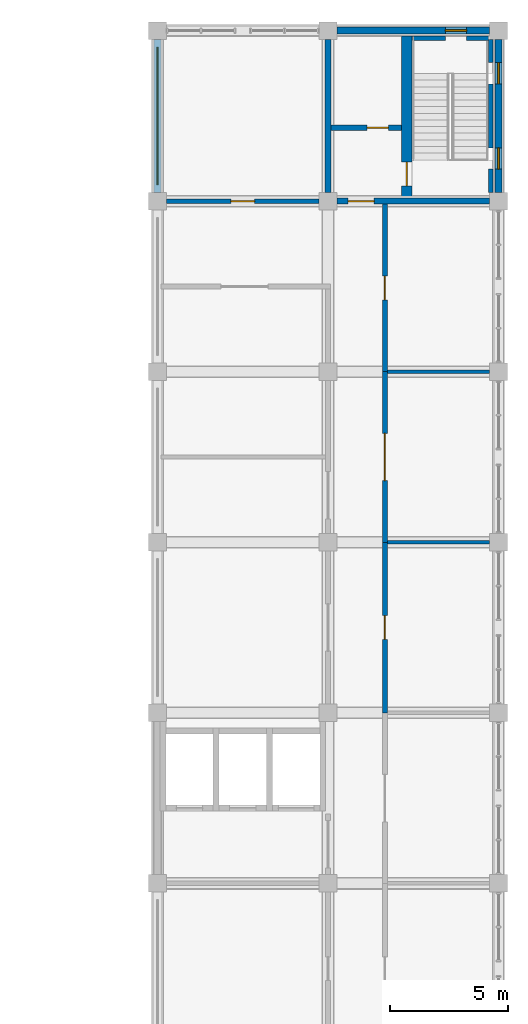
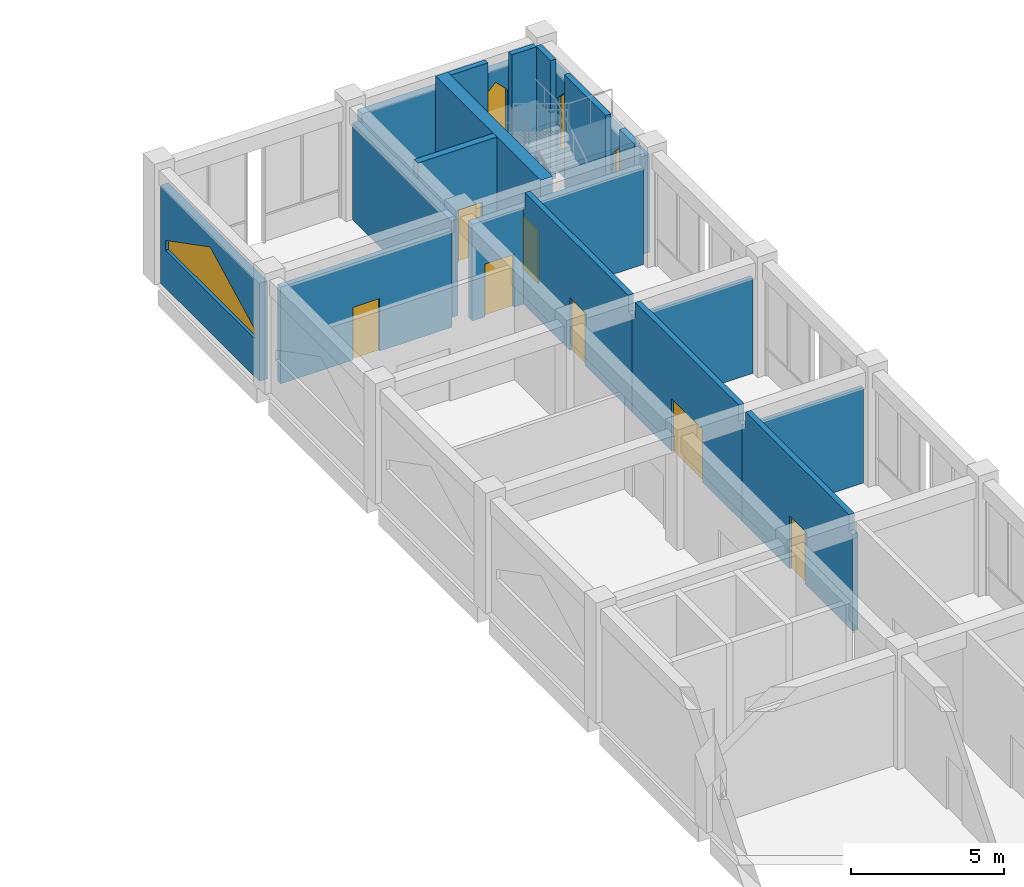
# One storey, part 35 of 39: 18 walls, 7 doors, 4 windows, 11 openings.
"""IFC4 building model written with IfcOpenShell, lengths in metres."""

from ifc_helpers import new_model, si_unit, direction, frame, frame_2d, origin, place, context, subcontext, project, spatial, polyline, rectangle, outline, extrude, material, layer, layer_set, type_object, element, fill, save


model = new_model("IFC4")

# Units and contexts
model_context = context("Model", 3, precision=1e-05, world=origin(), true_north=direction((0.0, 1.0)))
body_context = subcontext(model_context, "Body", "Model", "MODEL_VIEW")
ifc_project = project(units=[si_unit("LENGTHUNIT", "METRE"), si_unit("AREAUNIT", "SQUARE_METRE"), si_unit("VOLUMEUNIT", "CUBIC_METRE"), si_unit("PLANEANGLEUNIT", "RADIAN"), si_unit("MASSUNIT", "GRAM", prefix="KILO")], contexts=[model_context])

# Site, building, storey
site_placement = place(None, origin())
site = spatial("IfcSite", under=ifc_project, at=site_placement, CompositionType="ELEMENT")
building_placement = place(site_placement, origin())
building = spatial("IfcBuilding", under=site, at=building_placement, Name="Silangan Lancet Faculty of Sciences", CompositionType="ELEMENT")
storey_placement = place(building_placement, frame((0.0, 0.0, 26.39990234375)))
storey = spatial("IfcBuildingStorey", under=building, at=storey_placement, Name="L05", CompositionType="ELEMENT", Elevation=26.39990234375)

# Wall, openings, windows
ifc_material_1 = material(Name="Concrete C40/50 precast", Category="concrete")
ifc_layer_1 = layer(ifc_material_1, 0.300048828125)
ifc_layer_set_1 = layer_set([ifc_layer_1], Name="Concrete C40/50 precast")
wall_type_1 = type_object("IfcWallType", Name="EW2 Turret enclosure wall", PredefinedType="STANDARD", material=ifc_layer_set_1)
wall_1_placement = place(storey_placement, frame((86.39990234375, 50.77490234375, 0.0), z_axis=(0.0, 0.0, 1.0), x_axis=(0.0, 1.0, 0.0)))
wall_1 = element("IfcWall", 1, at=wall_1_placement, inside=storey, type_object=wall_type_1, Name="EW-L05-E-EB-07", PredefinedType="STANDARD", context=body_context, shape_type="SweptSolid", body=[
    extrude(rectangle(XDim=6.4501953125, YDim=0.300048828125, at=frame_2d((3.22509765625, 0.0))), origin(), (0.0, 0.0, 1.0), 3.900146484375),
])
opening_1_placement = place(wall_1_placement, frame((0.97509765625, 0.0, 0.89990234375)))
opening_1 = element("IfcOpeningElement", 2, at=opening_1_placement, cuts=wall_1, Name="Opening W11", PredefinedType="OPENING", context=body_context, shape_type="SweptSolid", body=[
    extrude(outline(polyline([(0.0, 0.0), (0.89990234375, 0.0), (0.89990234375, 2.050048828125), (0.449951171875, 2.5), (0.0, 2.050048828125), (0.0, 0.0)])), frame((0.0, 0.159912109375, 0.0), z_axis=(0.0, -1.0, 0.0), x_axis=(1.0, 0.0, 0.0)), (0.0, 0.0, 1.0), 0.320068359375),
])
opening_2_placement = place(wall_1_placement, frame((4.574951171875, 0.0, 0.89990234375)))
opening_2 = element("IfcOpeningElement", 3, at=opening_2_placement, cuts=wall_1, Name="Opening W11", PredefinedType="OPENING", context=body_context, shape_type="SweptSolid", body=[
    extrude(outline(polyline([(0.0, 0.0), (0.89990234375, 0.0), (0.89990234375, 2.050048828125), (0.449951171875, 2.5), (0.0, 2.050048828125), (0.0, 0.0)])), frame((0.0, 0.159912109375, 0.0), z_axis=(0.0, -1.0, 0.0), x_axis=(1.0, 0.0, 0.0)), (0.0, 0.0, 1.0), 0.320068359375),
])
ifc_material_2 = material(Name="Aluminium frame, laminated double glazing", Category="aluminium")
window_type_1 = type_object("IfcWindowType", Name="W11 Lancet window 900 x 2500", PartitioningType="SINGLE_PANEL", PredefinedType="WINDOW", material=ifc_material_2)
window_1_placement = place(opening_1_placement, origin())
window_1 = element("IfcWindow", 4, at=window_1_placement, inside=storey, type_object=window_type_1, Name="WIN-L05-E-EB-07a", OverallHeight=2.5, OverallWidth=0.89990234375, PartitioningType="SINGLE_PANEL", PredefinedType="WINDOW", context=body_context, shape_type="SweptSolid", body=[
    extrude(outline(polyline([(0.0, 0.0), (0.89990234375, 0.0), (0.89990234375, 2.050048828125), (0.449951171875, 2.5), (0.0, 2.050048828125), (0.0, 0.0)])), frame((0.0, 0.030029296875, 0.0), z_axis=(0.0, -1.0, 0.0), x_axis=(1.0, 0.0, 0.0)), (0.0, 0.0, 1.0), 0.06005859375),
])
fill(opening_1, window_1)
window_2_placement = place(opening_2_placement, origin())
window_2 = element("IfcWindow", 5, at=window_2_placement, inside=storey, type_object=window_type_1, Name="WIN-L05-E-EB-07b", OverallHeight=2.5, OverallWidth=0.89990234375, PartitioningType="SINGLE_PANEL", PredefinedType="WINDOW", context=body_context, shape_type="SweptSolid", body=[
    extrude(outline(polyline([(0.0, 0.0), (0.89990234375, 0.0), (0.89990234375, 2.050048828125), (0.449951171875, 2.5), (0.0, 2.050048828125), (0.0, 0.0)])), frame((0.0, 0.030029296875, 0.0), z_axis=(0.0, -1.0, 0.0), x_axis=(1.0, 0.0, 0.0)), (0.0, 0.0, 1.0), 0.06005859375),
])
fill(opening_2, window_2)

# Wall, opening, window
wall_2_placement = place(storey_placement, frame((86.02490234375, 57.60009765625, 0.0), z_axis=(0.0, 0.0, 1.0), x_axis=(-1.0, 0.0, 0.0)))
wall_2 = element("IfcWall", 6, at=wall_2_placement, inside=storey, type_object=wall_type_1, Name="EW-L05-N-EB-00", PredefinedType="STANDARD", context=body_context, shape_type="SweptSolid", body=[
    extrude(rectangle(XDim=6.449951171875, YDim=0.300048828125, at=frame_2d((3.22509765625, 0.0))), origin(), (0.0, 0.0, 1.0), 3.900146484375),
])
opening_3_placement = place(wall_2_placement, frame((0.97509765625, 0.0, 0.89990234375)))
opening_3 = element("IfcOpeningElement", 7, at=opening_3_placement, cuts=wall_2, Name="Opening W11", PredefinedType="OPENING", context=body_context, shape_type="SweptSolid", body=[
    extrude(outline(polyline([(0.0, 0.0), (0.89990234375, 0.0), (0.89990234375, 2.050048828125), (0.449951171875, 2.5), (0.0, 2.050048828125), (0.0, 0.0)])), frame((0.0, 0.159912109375, 0.0), z_axis=(0.0, -1.0, 0.0), x_axis=(1.0, 0.0, 0.0)), (0.0, 0.0, 1.0), 0.320068359375),
])
window_3_placement = place(opening_3_placement, origin())
window_3 = element("IfcWindow", 8, at=window_3_placement, inside=storey, type_object=window_type_1, Name="WIN-L05-N-EB-00a", OverallHeight=2.5, OverallWidth=0.89990234375, PartitioningType="SINGLE_PANEL", PredefinedType="WINDOW", context=body_context, shape_type="SweptSolid", body=[
    extrude(outline(polyline([(0.0, 0.0), (0.89990234375, 0.0), (0.89990234375, 2.050048828125), (0.449951171875, 2.5), (0.0, 2.050048828125), (0.0, 0.0)])), frame((0.0, 0.030029296875, 0.0), z_axis=(0.0, -1.0, 0.0), x_axis=(1.0, 0.0, 0.0)), (0.0, 0.0, 1.0), 0.06005859375),
])
fill(opening_3, window_3)

ifc_material_3 = material(Name="Concrete C40/50", Category="concrete")
ifc_layer_2 = layer(ifc_material_3, 0.300048828125)
ifc_layer_set_2 = layer_set([ifc_layer_2], Name="Concrete C40/50")
wall_type_2 = type_object("IfcWallType", Name="EW7 Rendered attic wall", PredefinedType="STANDARD", material=ifc_layer_set_2)
wall_3_placement = place(storey_placement, frame((72.0, 50.77490234375, 0.0), z_axis=(0.0, 0.0, 1.0), x_axis=(0.0, 1.0, 0.0)))
wall_3 = element("IfcWall", 9, at=wall_3_placement, inside=storey, type_object=wall_type_2, Name="EW-L05-W-EB-07", PredefinedType="STANDARD", context=body_context, shape_type="SweptSolid", body=[
    extrude(rectangle(XDim=6.4501953125, YDim=0.300048828125, at=frame_2d((3.22509765625, 0.0))), origin(), (0.0, 0.0, 1.0), 3.900146484375),
])
opening_4_placement = place(wall_3_placement, frame((0.324951171875, 0.0, 1.5)))
opening_4 = element("IfcOpeningElement", 10, at=opening_4_placement, cuts=wall_3, Name="Opening W16", PredefinedType="OPENING", context=body_context, shape_type="SweptSolid", body=[
    extrude(outline(polyline([(0.0, 0.0), (5.800048828125, 0.0), (5.800048828125, 0.39990234375), (2.89990234375, 1.89990234375), (0.0, 0.39990234375), (0.0, 0.0)])), frame((0.0, 0.159912109375, 0.0), z_axis=(0.0, -1.0, 0.0), x_axis=(1.0, 0.0, 0.0)), (0.0, 0.0, 1.0), 0.320068359375),
])
ifc_material_4 = material(Name="Aluminium frame, laminated double glazing", Category="aluminium")
window_type_2 = type_object("IfcWindowType", Name="W16 Traceried bay window 5800 x 1900 on a 1500 sill", PartitioningType="TRIPLE_PANEL_VERTICAL", PredefinedType="WINDOW", material=ifc_material_4)
window_4_placement = place(opening_4_placement, origin())
window_4 = element("IfcWindow", 11, at=window_4_placement, inside=storey, type_object=window_type_2, Name="WIN-L05-W-EB-07a", OverallHeight=1.89990234375, OverallWidth=5.800048828125, PartitioningType="TRIPLE_PANEL_VERTICAL", PredefinedType="WINDOW", context=body_context, shape_type="SweptSolid", body=[
    extrude(outline(polyline([(0.0, 0.0), (5.800048828125, 0.0), (5.800048828125, 0.39990234375), (2.89990234375, 1.89990234375), (0.0, 0.39990234375), (0.0, 0.0)])), frame((0.0, 0.030029296875, 0.0), z_axis=(0.0, -1.0, 0.0), x_axis=(1.0, 0.0, 0.0)), (0.0, 0.0, 1.0), 0.06005859375),
])
fill(opening_4, window_4)

# Wall, opening, door
ifc_material_5 = material(Name="Hollow block masonry fm 7 MPa", Category="masonry")
ifc_layer_3 = layer(ifc_material_5, 0.199951171875)
ifc_layer_set_3 = layer_set([ifc_layer_3], Name="Hollow block masonry fm 7 MPa")
wall_type_3 = type_object("IfcWallType", Name="Interior wall PW1 Corridor wall CHB 200", PredefinedType="PARTITIONING", material=ifc_layer_set_3)
wall_4_placement = place(storey_placement, frame((72.375, 50.39990234375, 0.0), z_axis=(0.0, 0.0, 1.0), x_axis=(1.0, 0.0, 0.0)))
wall_4 = element("IfcWall", 12, at=wall_4_placement, inside=storey, type_object=wall_type_3, Name="Corridor wall CHB 200", PredefinedType="PARTITIONING", context=body_context, shape_type="SweptSolid", body=[
    extrude(rectangle(XDim=6.449951171875, YDim=0.199951171875, at=frame_2d((3.22509765625, 0.0))), origin(), (0.0, 0.0, 1.0), 3.85009765625),
])
opening_5_placement = place(wall_4_placement, frame((2.72509765625, 0.0, 0.0)))
opening_5 = element("IfcOpeningElement", 13, at=opening_5_placement, cuts=wall_4, Name="Opening L05-041", PredefinedType="OPENING", context=body_context, shape_type="SweptSolid", body=[
    extrude(rectangle(XDim=1.0, YDim=2.10009765625, at=frame_2d((0.5, 1.050048828125))), frame((0.0, 0.10986328125, 0.0), z_axis=(0.0, -1.0, 0.0), x_axis=(1.0, 0.0, 0.0)), (0.0, 0.0, 1.0), 0.219970703125),
])
ifc_material_6 = material(Name="Steel fire door set", Category="steel")
door_type_1 = type_object("IfcDoorType", Name="Door D1 Single leaf fire door 1000 x 2100", OperationType="SINGLE_SWING_LEFT", PredefinedType="DOOR", material=ifc_material_6)
door_1_placement = place(opening_5_placement, origin())
door_1 = element("IfcDoor", 14, at=door_1_placement, inside=storey, type_object=door_type_1, Name="Single leaf fire door 1000 x 2100", OperationType="SINGLE_SWING_RIGHT", OverallHeight=2.10009765625, OverallWidth=1.0, PredefinedType="DOOR", context=body_context, shape_type="SweptSolid", body=[
    extrude(rectangle(XDim=1.0, YDim=2.10009765625, at=frame_2d((0.5, 1.050048828125))), frame((0.0, 0.02490234375, 0.0), z_axis=(0.0, -1.0, 0.0), x_axis=(1.0, 0.0, 0.0)), (0.0, 0.0, 1.0), 0.050048828125),
])
fill(opening_5, door_1)

wall_5_placement = place(storey_placement, frame((81.60009765625, 28.800048828125, 0.0), z_axis=(0.0, 0.0, 1.0), x_axis=(0.0, 1.0, 0.0)))
wall_5 = element("IfcWall", 15, at=wall_5_placement, inside=storey, type_object=wall_type_3, Name="Corridor wall CHB 200", PredefinedType="PARTITIONING", context=body_context, shape_type="SweptSolid", body=[
    extrude(outline(polyline([(0.0, 0.0), (7.199951171875, 0.0), (7.199951171875, 3.85009765625), (6.97509765625, 3.85009765625), (6.97509765625, 4.5), (0.22509765625, 4.5), (0.22509765625, 3.85009765625), (0.0, 3.85009765625), (0.0, 0.0)])), frame((0.0, 0.10009765625, 0.0), z_axis=(0.0, -1.0, 0.0), x_axis=(1.0, 0.0, 0.0)), (0.0, 0.0, 1.0), 0.199951171875),
])
opening_6_placement = place(wall_5_placement, frame((3.10009765625, 0.0, 0.0)))
opening_6 = element("IfcOpeningElement", 16, at=opening_6_placement, cuts=wall_5, Name="Opening L05-045", PredefinedType="OPENING", context=body_context, shape_type="SweptSolid", body=[
    extrude(rectangle(XDim=1.0, YDim=2.10009765625, at=frame_2d((0.5, 1.050048828125))), frame((0.0, 0.10986328125, 0.0), z_axis=(0.0, -1.0, 0.0), x_axis=(1.0, 0.0, 0.0)), (0.0, 0.0, 1.0), 0.219970703125),
])
door_2_placement = place(opening_6_placement, frame((1.0, 0.0, 0.0), z_axis=(0.0, 0.0, 1.0), x_axis=(-1.0, 0.0, 0.0)))
door_2 = element("IfcDoor", 17, at=door_2_placement, inside=storey, type_object=door_type_1, Name="Single leaf fire door 1000 x 2100", OperationType="SINGLE_SWING_LEFT", OverallHeight=2.10009765625, OverallWidth=1.0, PredefinedType="DOOR", context=body_context, shape_type="SweptSolid", body=[
    extrude(rectangle(XDim=1.0, YDim=2.10009765625, at=frame_2d((0.5, 1.050048828125))), frame((0.0, 0.025146484375, 0.0), z_axis=(0.0, -1.0, 0.0), x_axis=(1.0, 0.0, 0.0)), (0.0, 0.0, 1.0), 0.050048828125),
])
fill(opening_6, door_2)

wall_6_placement = place(storey_placement, frame((81.60009765625, 36.0, 0.0), z_axis=(0.0, 0.0, 1.0), x_axis=(0.0, 1.0, 0.0)))
wall_6 = element("IfcWall", 18, at=wall_6_placement, inside=storey, type_object=wall_type_3, Name="Corridor wall CHB 200", PredefinedType="PARTITIONING", context=body_context, shape_type="SweptSolid", body=[
    extrude(outline(polyline([(0.0, 0.0), (7.199951171875, 0.0), (7.199951171875, 3.85009765625), (6.97509765625, 3.85009765625), (6.97509765625, 4.5), (0.22509765625, 4.5), (0.22509765625, 3.85009765625), (0.0, 3.85009765625), (0.0, 0.0)])), frame((0.0, 0.10009765625, 0.0), z_axis=(0.0, -1.0, 0.0), x_axis=(1.0, 0.0, 0.0)), (0.0, 0.0, 1.0), 0.199951171875),
])
opening_7_placement = place(wall_6_placement, frame((2.60009765625, 0.0, 0.0)))
opening_7 = element("IfcOpeningElement", 19, at=opening_7_placement, cuts=wall_6, Name="Opening L05-046", PredefinedType="OPENING", context=body_context, shape_type="SweptSolid", body=[
    extrude(rectangle(XDim=2.0, YDim=2.10009765625, at=frame_2d((1.0, 1.050048828125))), frame((0.0, 0.10986328125, 0.0), z_axis=(0.0, -1.0, 0.0), x_axis=(1.0, 0.0, 0.0)), (0.0, 0.0, 1.0), 0.219970703125),
])
ifc_material_7 = material(Name="Steel fire door set", Category="steel")
door_type_2 = type_object("IfcDoorType", Name="Door D4 Double leaf fire door 2000 x 2100", OperationType="DOUBLE_DOOR_SINGLE_SWING", PredefinedType="DOOR", material=ifc_material_7)
door_3_placement = place(opening_7_placement, origin())
door_3 = element("IfcDoor", 20, at=door_3_placement, inside=storey, type_object=door_type_2, Name="Double leaf fire door 2000 x 2100", OperationType="DOUBLE_DOOR_SINGLE_SWING", OverallHeight=2.10009765625, OverallWidth=2.0, PredefinedType="DOOR", context=body_context, shape_type="SweptSolid", body=[
    extrude(rectangle(XDim=2.0, YDim=2.10009765625, at=frame_2d((1.0, 1.050048828125))), frame((0.0, 0.02490234375, 0.0), z_axis=(0.0, -1.0, 0.0), x_axis=(1.0, 0.0, 0.0)), (0.0, 0.0, 1.0), 0.050048828125),
])
fill(opening_7, door_3)

wall_7_placement = place(storey_placement, frame((81.60009765625, 43.199951171875, 0.0), z_axis=(0.0, 0.0, 1.0), x_axis=(0.0, 1.0, 0.0)))
wall_7 = element("IfcWall", 21, at=wall_7_placement, inside=storey, type_object=wall_type_3, Name="Corridor wall CHB 200", PredefinedType="PARTITIONING", context=body_context, shape_type="SweptSolid", body=[
    extrude(outline(polyline([(0.0, 0.0), (7.074951171875, 0.0), (7.074951171875, 3.85009765625), (6.97509765625, 3.85009765625), (6.97509765625, 4.5), (0.22509765625, 4.5), (0.22509765625, 3.85009765625), (0.0, 3.85009765625), (0.0, 0.0)])), frame((0.0, 0.10009765625, 0.0), z_axis=(0.0, -1.0, 0.0), x_axis=(1.0, 0.0, 0.0)), (0.0, 0.0, 1.0), 0.199951171875),
])
opening_8_placement = place(wall_7_placement, frame((3.03759765625, 0.0, 0.0)))
opening_8 = element("IfcOpeningElement", 22, at=opening_8_placement, cuts=wall_7, Name="Opening L05-047", PredefinedType="OPENING", context=body_context, shape_type="SweptSolid", body=[
    extrude(rectangle(XDim=1.0, YDim=2.10009765625, at=frame_2d((0.5, 1.050048828125))), frame((0.0, 0.10986328125, 0.0), z_axis=(0.0, -1.0, 0.0), x_axis=(1.0, 0.0, 0.0)), (0.0, 0.0, 1.0), 0.219970703125),
])
door_4_placement = place(opening_8_placement, frame((1.0, 0.0, 0.0), z_axis=(0.0, 0.0, 1.0), x_axis=(-1.0, 0.0, 0.0)))
door_4 = element("IfcDoor", 23, at=door_4_placement, inside=storey, type_object=door_type_1, Name="Single leaf fire door 1000 x 2100", OperationType="SINGLE_SWING_LEFT", OverallHeight=2.10009765625, OverallWidth=1.0, PredefinedType="DOOR", context=body_context, shape_type="SweptSolid", body=[
    extrude(rectangle(XDim=1.0, YDim=2.10009765625, at=frame_2d((0.5, 1.050048828125))), frame((0.0, 0.025146484375, 0.0), z_axis=(0.0, -1.0, 0.0), x_axis=(1.0, 0.0, 0.0)), (0.0, 0.0, 1.0), 0.050048828125),
])
fill(opening_8, door_4)

# Walls
ifc_material_8 = material(Name="Hollow block masonry fm 7 MPa", Category="masonry")
ifc_layer_4 = layer(ifc_material_8, 0.14990234375)
ifc_layer_set_4 = layer_set([ifc_layer_4], Name="Hollow block masonry fm 7 MPa")
wall_type_4 = type_object("IfcWallType", Name="Interior wall PW3 Partition CHB 150", PredefinedType="PARTITIONING", material=ifc_layer_set_4)
for number, where, z_axis, x_axis, name in (
    (24, (81.699951171875, 36.0, 0.0), (0.0, 0.0, 1.0), (1.0, 0.0, 0.0), "Partition CHB 150"),
    (25, (81.699951171875, 43.199951171875, 0.0), (0.0, 0.0, 1.0), (1.0, 0.0, 0.0), "Partition CHB 150"),
):
    element("IfcWall", number, at=place(storey_placement, frame(where, z_axis=z_axis, x_axis=x_axis)), inside=storey, type_object=wall_type_4, Name=name, PredefinedType="PARTITIONING", context=body_context, shape_type="SweptSolid", body=[
        extrude(rectangle(XDim=4.324951171875, YDim=0.14990234375, at=frame_2d((2.16259765625, 0.0))), origin(), (0.0, 0.0, 1.0), 3.800048828125),
    ])

# Wall, opening, door
ifc_material_9 = material(Name="Concrete C40/50", Category="concrete")
ifc_layer_5 = layer(ifc_material_9, 0.449951171875)
ifc_layer_set_5 = layer_set([ifc_layer_5], Name="Concrete C40/50")
wall_type_5 = type_object("IfcWallType", Name="TURRET CORE WALL RC 450", PredefinedType="SHEAR", material=ifc_layer_set_5)
wall_8_placement = place(storey_placement, frame((82.52490234375, 50.52490234375, 0.0), z_axis=(0.0, 0.0, 1.0), x_axis=(0.0, 1.0, 0.0)))
wall_8 = element("IfcWall", 26, at=wall_8_placement, inside=storey, type_object=wall_type_5, Name="WALL-L05-EB-B-WELL", PredefinedType="SHEAR", context=body_context, shape_type="SweptSolid", body=[
    extrude(rectangle(XDim=6.85009765625, YDim=0.449951171875, at=frame_2d((3.425048828125, 0.0))), origin(), (0.0, 0.0, 1.0), 4.5),
])
opening_9_placement = place(wall_8_placement, frame((0.52490234375, 0.0, 0.0)))
opening_9 = element("IfcOpeningElement", 27, at=opening_9_placement, cuts=wall_8, Name="Opening L05-704", PredefinedType="OPENING", context=body_context, shape_type="SweptSolid", body=[
    extrude(rectangle(XDim=1.0, YDim=2.10009765625, at=frame_2d((0.5, 1.050048828125))), frame((0.0, 0.23486328125, 0.0), z_axis=(0.0, -1.0, 0.0), x_axis=(1.0, 0.0, 0.0)), (0.0, 0.0, 1.0), 0.469970703125),
])
ifc_material_10 = material(Name="Steel fire door set", Category="steel")
door_type_3 = type_object("IfcDoorType", Name="D71 Stair enclosure door 1000x2100", OperationType="SINGLE_SWING_LEFT", PredefinedType="DOOR", material=ifc_material_10)
door_5_placement = place(opening_9_placement, frame((1.0, 0.0, 0.0), z_axis=(0.0, 0.0, 1.0), x_axis=(-1.0, 0.0, 0.0)))
door_5 = element("IfcDoor", 28, at=door_5_placement, inside=storey, type_object=door_type_3, Name="Stair enclosure door EB-B L05", OperationType="SINGLE_SWING_RIGHT", OverallHeight=2.10009765625, OverallWidth=1.0, PredefinedType="DOOR", context=body_context, shape_type="SweptSolid", body=[
    extrude(rectangle(XDim=1.0, YDim=2.10009765625, at=frame_2d((0.5, 1.050048828125))), frame((0.0, 0.025146484375, 0.0), z_axis=(0.0, -1.0, 0.0), x_axis=(1.0, 0.0, 0.0)), (0.0, 0.0, 1.0), 0.050048828125),
])
fill(opening_9, door_5)

# Walls
ifc_material_11 = material(Name="Concrete C40/50", Category="concrete")
ifc_layer_6 = layer(ifc_material_11, 0.199951171875)
ifc_layer_set_6 = layer_set([ifc_layer_6], Name="Concrete C40/50")
wall_type_6 = type_object("IfcWallType", Name="TURRET LINING WALL RC 200", PredefinedType="SHEAR", material=ifc_layer_set_6)
wall_9_placement = place(storey_placement, frame((86.074951171875, 50.77490234375, -0.25), z_axis=(0.0, 0.0, 1.0), x_axis=(0.0, 1.0, 0.0)))
element("IfcWall", 29, at=wall_9_placement, inside=storey, type_object=wall_type_6, Name="WALL-L05-EB-B-WL", PredefinedType="SHEAR", context=body_context, shape_type="SweptSolid", body=[
    extrude(rectangle(XDim=0.97509765625, YDim=0.199951171875, at=frame_2d((0.487548828125, 0.0))), origin(), (0.0, 0.0, 1.0), 4.75),
])
wall_10_placement = place(storey_placement, frame((86.074951171875, 52.64990234375, -0.25), z_axis=(0.0, 0.0, 1.0), x_axis=(0.0, 1.0, 0.0)))
element("IfcWall", 30, at=wall_10_placement, inside=storey, type_object=wall_type_6, Name="WALL-L05-EB-B-WL-2", PredefinedType="SHEAR", context=body_context, shape_type="SweptSolid", body=[
    extrude(rectangle(XDim=2.7001953125, YDim=0.199951171875, at=frame_2d((1.35009765625, 0.0))), origin(), (0.0, 0.0, 1.0), 4.75),
])
wall_11_placement = place(storey_placement, frame((86.074951171875, 56.25, -0.25), z_axis=(0.0, 0.0, 1.0), x_axis=(0.0, 1.0, 0.0)))
element("IfcWall", 31, at=wall_11_placement, inside=storey, type_object=wall_type_6, Name="WALL-L05-EB-B-WL-3", PredefinedType="SHEAR", context=body_context, shape_type="SweptSolid", body=[
    extrude(rectangle(XDim=0.97509765625, YDim=0.199951171875, at=frame_2d((0.487548828125, 0.0))), origin(), (0.0, 0.0, 1.0), 4.75),
])
wall_12_placement = place(storey_placement, frame((82.75, 57.27490234375, -0.25), z_axis=(0.0, 0.0, 1.0), x_axis=(1.0, 0.0, 0.0)))
element("IfcWall", 32, at=wall_12_placement, inside=storey, type_object=wall_type_6, Name="WALL-L05-EB-B-WLD", PredefinedType="SHEAR", context=body_context, shape_type="SweptSolid", body=[
    extrude(rectangle(XDim=1.39990234375, YDim=0.199951171875, at=frame_2d((0.699951171875, 0.0))), origin(), (0.0, 0.0, 1.0), 4.75),
])
wall_13_placement = place(storey_placement, frame((85.050048828125, 57.27490234375, -0.25), z_axis=(0.0, 0.0, 1.0), x_axis=(1.0, 0.0, 0.0)))
element("IfcWall", 33, at=wall_13_placement, inside=storey, type_object=wall_type_6, Name="WALL-L05-EB-B-WLD-2", PredefinedType="SHEAR", context=body_context, shape_type="SweptSolid", body=[
    extrude(rectangle(XDim=0.925048828125, YDim=0.199951171875, at=frame_2d((0.46240234375, 0.0))), origin(), (0.0, 0.0, 1.0), 4.75),
])

# Wall, opening, door
ifc_material_12 = material(Name="Concrete C40/50", Category="concrete")
ifc_layer_7 = layer(ifc_material_12, 0.25)
ifc_layer_set_7 = layer_set([ifc_layer_7], Name="Concrete C40/50")
wall_type_7 = type_object("IfcWallType", Name="TURRET WALL RC 250", PredefinedType="SHEAR", material=ifc_layer_set_7)
wall_14_placement = place(storey_placement, frame((79.574951171875, 50.39990234375, 0.0), z_axis=(0.0, 0.0, 1.0), x_axis=(1.0, 0.0, 0.0)))
wall_14 = element("IfcWall", 34, at=wall_14_placement, inside=storey, type_object=wall_type_7, Name="WALL-L05-EB-B-V", PredefinedType="SHEAR", context=body_context, shape_type="SweptSolid", body=[
    extrude(rectangle(XDim=6.449951171875, YDim=0.25, at=frame_2d((3.22509765625, 0.0))), origin(), (0.0, 0.0, 1.0), 3.85009765625),
])
opening_10_placement = place(wall_14_placement, frame((0.47509765625, 0.0, 0.0)))
opening_10 = element("IfcOpeningElement", 35, at=opening_10_placement, cuts=wall_14, Name="Opening L05-705", PredefinedType="OPENING", context=body_context, shape_type="SweptSolid", body=[
    extrude(rectangle(XDim=1.10009765625, YDim=2.10009765625, at=frame_2d((0.550048828125, 1.050048828125))), frame((0.0, 0.135009765625, 0.0), z_axis=(0.0, -1.0, 0.0), x_axis=(1.0, 0.0, 0.0)), (0.0, 0.0, 1.0), 0.27001953125),
])
ifc_material_13 = material(Name="Steel fire door set", Category="steel")
door_type_4 = type_object("IfcDoorType", Name="D70 Stair vestibule door 1100x2100", OperationType="SINGLE_SWING_LEFT", PredefinedType="DOOR", material=ifc_material_13)
door_6_placement = place(opening_10_placement, origin())
door_6 = element("IfcDoor", 36, at=door_6_placement, inside=storey, type_object=door_type_4, Name="Stair vestibule door EB-B L05", OperationType="SINGLE_SWING_LEFT", OverallHeight=2.10009765625, OverallWidth=1.10009765625, PredefinedType="DOOR", context=body_context, shape_type="SweptSolid", body=[
    extrude(rectangle(XDim=1.10009765625, YDim=2.10009765625, at=frame_2d((0.550048828125, 1.050048828125))), frame((0.0, 0.02490234375, 0.0), z_axis=(0.0, -1.0, 0.0), x_axis=(1.0, 0.0, 0.0)), (0.0, 0.0, 1.0), 0.050048828125),
])
fill(opening_10, door_6)

# Wall
wall_15_placement = place(storey_placement, frame((79.199951171875, 50.77490234375, 0.0), z_axis=(0.0, 0.0, 1.0), x_axis=(0.0, 1.0, 0.0)))
element("IfcWall", 37, at=wall_15_placement, inside=storey, type_object=wall_type_7, Name="WALL-L05-EB-B-O", PredefinedType="SHEAR", context=body_context, shape_type="SweptSolid", body=[
    extrude(rectangle(XDim=6.4501953125, YDim=0.25, at=frame_2d((3.22509765625, 0.0))), origin(), (0.0, 0.0, 1.0), 3.85009765625),
])

# Wall, opening, door
wall_16_placement = place(storey_placement, frame((79.324951171875, 53.5, 0.0), z_axis=(0.0, 0.0, 1.0), x_axis=(1.0, 0.0, 0.0)))
wall_16 = element("IfcWall", 38, at=wall_16_placement, inside=storey, type_object=wall_type_7, Name="WALL-L05-EB-B-RISER", PredefinedType="SHEAR", context=body_context, shape_type="SweptSolid", body=[
    extrude(rectangle(XDim=2.97509765625, YDim=0.25, at=frame_2d((1.487548828125, 0.0))), origin(), (0.0, 0.0, 1.0), 4.5),
])
opening_11_placement = place(wall_16_placement, frame((1.52490234375, 0.0, 0.0)))
opening_11 = element("IfcOpeningElement", 39, at=opening_11_placement, cuts=wall_16, Name="Opening L05-706", PredefinedType="OPENING", context=body_context, shape_type="SweptSolid", body=[
    extrude(rectangle(XDim=0.89990234375, YDim=2.10009765625, at=frame_2d((0.449951171875, 1.050048828125))), frame((0.0, 0.135009765625, 0.0), z_axis=(0.0, -1.0, 0.0), x_axis=(1.0, 0.0, 0.0)), (0.0, 0.0, 1.0), 0.27001953125),
])
ifc_material_14 = material(Name="Steel fire door set", Category="steel")
door_type_5 = type_object("IfcDoorType", Name="D72 Riser access door 900x2100", OperationType="SINGLE_SWING_LEFT", PredefinedType="DOOR", material=ifc_material_14)
door_7_placement = place(opening_11_placement, origin())
door_7 = element("IfcDoor", 40, at=door_7_placement, inside=storey, type_object=door_type_5, Name="Riser access door EB-B L05", OperationType="SINGLE_SWING_LEFT", OverallHeight=2.10009765625, OverallWidth=0.89990234375, PredefinedType="DOOR", context=body_context, shape_type="SweptSolid", body=[
    extrude(rectangle(XDim=0.89990234375, YDim=2.10009765625, at=frame_2d((0.449951171875, 1.050048828125))), frame((0.0, 0.02490234375, 0.0), z_axis=(0.0, -1.0, 0.0), x_axis=(1.0, 0.0, 0.0)), (0.0, 0.0, 1.0), 0.050048828125),
])
fill(opening_11, door_7)

save(model, "model.ifc")
